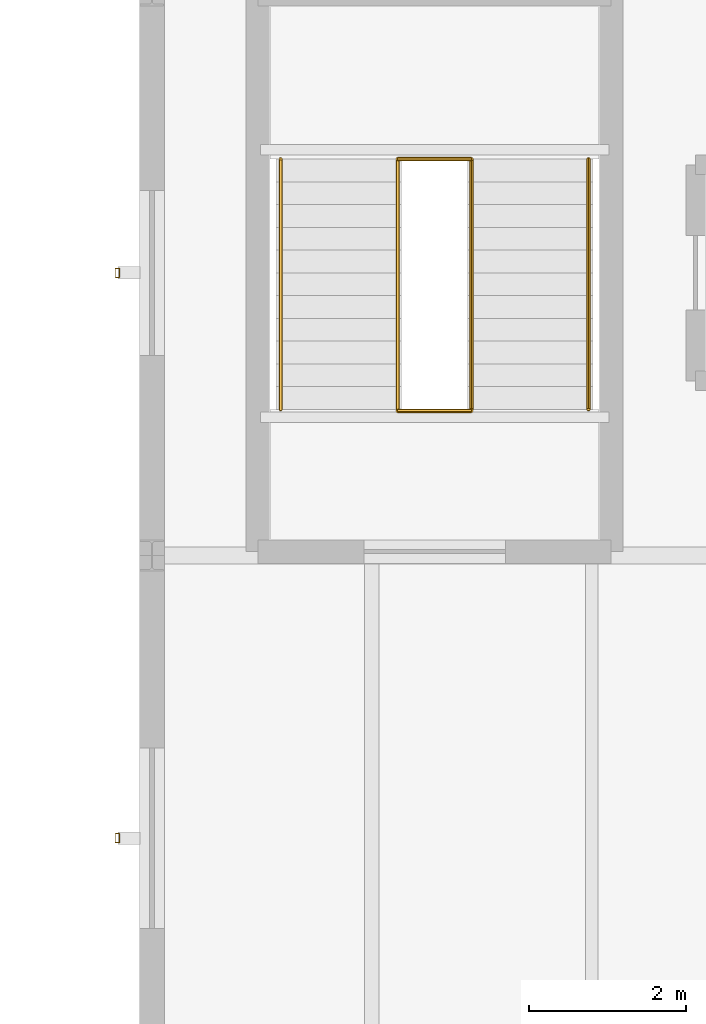
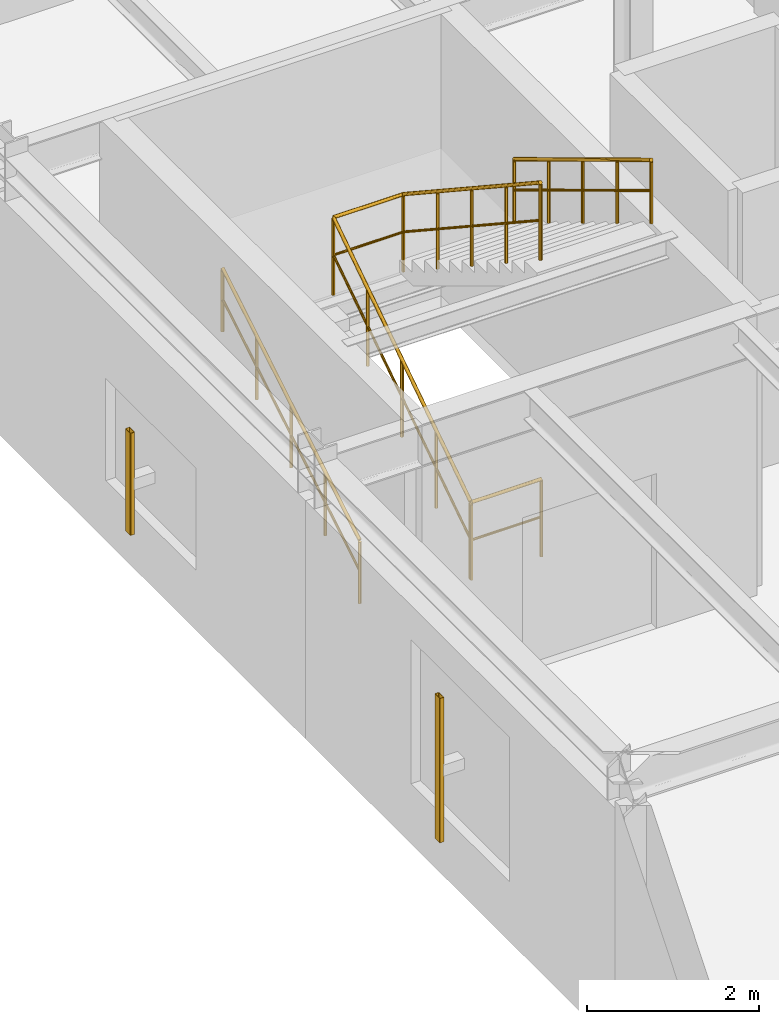
# One storey, part 98 of 109: 6 railings, 2 shading devices.
"""IFC4 building model written with IfcOpenShell, lengths in metres."""

from ifc_helpers import new_model, si_unit, derived_unit, direction, frame, origin, origin_2d, place, context, subcontext, project, spatial, hollow_rectangle, circle, extrude, material, material_profile, profile_set, type_object, element, save


model = new_model("IFC4")

# Units and contexts
model_context = context("Model", 3, precision=1e-05, world=origin(), true_north=direction((0.0, 1.0)))
body_context = subcontext(model_context, "Body", "Model", "MODEL_VIEW")
ifc_project = project(units=[si_unit("LENGTHUNIT", "METRE"), si_unit("AREAUNIT", "SQUARE_METRE"), si_unit("VOLUMEUNIT", "CUBIC_METRE"), si_unit("PLANEANGLEUNIT", "RADIAN"), si_unit("MASSUNIT", "GRAM", prefix="KILO"), derived_unit("THERMALTRANSMITTANCEUNIT", [(si_unit("MASSUNIT", "GRAM", prefix="KILO"), 1), (si_unit("TIMEUNIT", "SECOND"), -3), (si_unit("THERMODYNAMICTEMPERATUREUNIT", "KELVIN"), -1)])], contexts=[model_context])

# Site, building, storey
site_placement = place(None, origin())
site = spatial("IfcSite", under=ifc_project, at=site_placement, CompositionType="ELEMENT")
building_placement = place(site_placement, origin())
building = spatial("IfcBuilding", under=site, at=building_placement, Name="Kharveza Railside Sports Centre", CompositionType="ELEMENT")
storey_placement = place(building_placement, frame((0.0, 0.0, 4.5)))
storey = spatial("IfcBuildingStorey", under=building, at=storey_placement, Name="L01", CompositionType="ELEMENT", Elevation=4.5)

# Railings
ifc_material_1 = material(Name="Steel S275JR", Category="steel")
railing_type_1 = type_object("IfcRailingType", Name="RL-GD110", PredefinedType="GUARDRAIL", material=ifc_material_1)
railing_1_placement = place(storey_placement, frame((145.929931640625, 59.43994140625, 0.0)))
element("IfcRailing", 1, at=railing_1_placement, inside=storey, type_object=railing_type_1, Name="RL-STSLOT-ST2-L01", PredefinedType="GUARDRAIL", context=body_context, shape_type="SweptSolid", body=[
    extrude(circle(Radius=0.02392578125, at=origin_2d()), frame((0.0, 0.0, 1.09619140625), z_axis=(1.0, 0.0, 0.0), x_axis=(0.0, 1.0, 0.0)), (0.0, 0.0, 1.0), 0.940185546875),
    extrude(circle(Radius=0.01611328125, at=origin_2d()), frame((0.0, 0.0, 0.56005859375), z_axis=(1.0, 0.0, 0.0), x_axis=(0.0, 1.0, 0.0)), (0.0, 0.0, 1.0), 0.940185546875),
    extrude(circle(Radius=0.02099609375, at=origin_2d()), origin(), (0.0, 0.0, 1.0), 1.072021484375),
    extrude(circle(Radius=0.02099609375, at=origin_2d()), frame((0.940185546875, 0.0, 0.0)), (0.0, 0.0, 1.0), 1.072021484375),
])
railing_2_placement = place(storey_placement, frame((145.929931640625, 59.4599609375, 0.0)))
element("IfcRailing", 2, at=railing_2_placement, inside=storey, type_object=railing_type_1, Name="STR-ST2-L01-GD1", PredefinedType="GUARDRAIL", context=body_context, shape_type="SweptSolid", body=[
    extrude(circle(Radius=0.02392578125, at=origin_2d()), frame((0.0, 0.0, 1.09619140625), z_axis=(0.0, 0.835242474824, 0.549881812983), x_axis=(-1.0, 0.0, 0.0)), (0.0, 0.0, 1.0), 3.819091796875),
    extrude(circle(Radius=0.01611328125, at=origin_2d()), frame((0.0, 0.0, 0.56005859375), z_axis=(0.0, 0.835242474824, 0.549881812983), x_axis=(-1.0, 0.0, 0.0)), (0.0, 0.0, 1.0), 3.819091796875),
    extrude(circle(Radius=0.02099609375, at=origin_2d()), origin(), (0.0, 0.0, 1.0), 1.072021484375),
    extrude(circle(Radius=0.02099609375, at=origin_2d()), frame((0.0, 0.79736328125, 0.52490234375)), (0.0, 0.0, 1.0), 1.072021484375),
    extrude(circle(Radius=0.02099609375, at=origin_2d()), frame((0.0, 1.594970703125, 1.050048828125)), (0.0, 0.0, 1.0), 1.072021484375),
    extrude(circle(Radius=0.02099609375, at=origin_2d()), frame((0.0, 2.392578125, 1.5751953125)), (0.0, 0.0, 1.0), 1.072021484375),
    extrude(circle(Radius=0.02099609375, at=origin_2d()), frame((0.0, 3.18994140625, 2.10009765625)), (0.0, 0.0, 1.0), 1.072021484375),
])
railing_3_placement = place(storey_placement, frame((146.8701171875, 62.64990234375, 2.10009765625)))
element("IfcRailing", 3, at=railing_3_placement, inside=storey, type_object=railing_type_1, Name="STR-ST2-L01-GD2", PredefinedType="GUARDRAIL", context=body_context, shape_type="SweptSolid", body=[
    extrude(circle(Radius=0.02392578125, at=origin_2d()), frame((0.0, 0.0, 1.09619140625), z_axis=(0.0, -0.835271834381, 0.549837214719), x_axis=(1.0, 0.0, 0.0)), (0.0, 0.0, 1.0), 3.819091796875),
    extrude(circle(Radius=0.01611328125, at=origin_2d()), frame((0.0, 0.0, 0.56005859375), z_axis=(0.0, -0.835271834381, 0.549837214719), x_axis=(1.0, 0.0, 0.0)), (0.0, 0.0, 1.0), 3.819091796875),
    extrude(circle(Radius=0.02099609375, at=origin_2d()), origin(), (0.0, 0.0, 1.0), 1.072021484375),
    extrude(circle(Radius=0.02099609375, at=origin_2d()), frame((0.0, -0.79736328125, 0.52490234375)), (0.0, 0.0, 1.0), 1.072021484375),
    extrude(circle(Radius=0.02099609375, at=origin_2d()), frame((0.0, -1.594970703125, 1.0498046875)), (0.0, 0.0, 1.0), 1.072021484375),
    extrude(circle(Radius=0.02099609375, at=origin_2d()), frame((0.0, -2.392578125, 1.574951171875)), (0.0, 0.0, 1.0), 1.072021484375),
    extrude(circle(Radius=0.02099609375, at=origin_2d()), frame((0.0, -3.18994140625, 2.099853515625)), (0.0, 0.0, 1.0), 1.072021484375),
])
railing_4_placement = place(storey_placement, frame((145.929931640625, 62.64990234375, 2.10009765625)))
element("IfcRailing", 4, at=railing_4_placement, inside=storey, type_object=railing_type_1, Name="STR-ST2-L01-GDH", PredefinedType="GUARDRAIL", context=body_context, shape_type="SweptSolid", body=[
    extrude(circle(Radius=0.02392578125, at=origin_2d()), frame((0.0, 0.0, 1.09619140625), z_axis=(1.0, 0.0, 0.0), x_axis=(0.0, 1.0, 0.0)), (0.0, 0.0, 1.0), 0.940185546875),
    extrude(circle(Radius=0.01611328125, at=origin_2d()), frame((0.0, 0.0, 0.56005859375), z_axis=(1.0, 0.0, 0.0), x_axis=(0.0, 1.0, 0.0)), (0.0, 0.0, 1.0), 0.940185546875),
    extrude(circle(Radius=0.02099609375, at=origin_2d()), origin(), (0.0, 0.0, 1.0), 1.072021484375),
    extrude(circle(Radius=0.02099609375, at=origin_2d()), frame((0.940185546875, 0.0, 0.0)), (0.0, 0.0, 1.0), 1.072021484375),
])
railing_type_2 = type_object("IfcRailingType", Name="RL-HR092", PredefinedType="HANDRAIL", material=ifc_material_1)
railing_5_placement = place(storey_placement, frame((144.43994140625, 59.4599609375, 0.175048828125)))
element("IfcRailing", 5, at=railing_5_placement, inside=storey, type_object=railing_type_2, Name="STR-ST2-L01-HR1", PredefinedType="HANDRAIL", context=body_context, shape_type="SweptSolid", body=[
    extrude(circle(Radius=0.02392578125, at=origin_2d()), frame((0.0, 0.0, 0.89599609375), z_axis=(0.0, 0.856177665481, 0.516681531633), x_axis=(-1.0, 0.0, 0.0)), (0.0, 0.0, 1.0), 3.725830078125),
    extrude(circle(Radius=0.01611328125, at=origin_2d()), frame((0.0, 0.0, 0.4599609375), z_axis=(0.0, 0.856177665481, 0.516681531633), x_axis=(-1.0, 0.0, 0.0)), (0.0, 0.0, 1.0), 3.725830078125),
    extrude(circle(Radius=0.02099609375, at=origin_2d()), origin(), (0.0, 0.0, 1.0), 0.871826171875),
    extrude(circle(Radius=0.02099609375, at=origin_2d()), frame((0.0, 0.79736328125, 0.481201171875)), (0.0, 0.0, 1.0), 0.871826171875),
    extrude(circle(Radius=0.02099609375, at=origin_2d()), frame((0.0, 1.594970703125, 0.96240234375)), (0.0, 0.0, 1.0), 0.871826171875),
    extrude(circle(Radius=0.02099609375, at=origin_2d()), frame((0.0, 2.392578125, 1.44384765625)), (0.0, 0.0, 1.0), 0.871826171875),
    extrude(circle(Radius=0.02099609375, at=origin_2d()), frame((0.0, 3.18994140625, 1.925048828125)), (0.0, 0.0, 1.0), 0.871826171875),
])
railing_6_placement = place(storey_placement, frame((148.360107421875, 62.64990234375, 2.27490234375)))
element("IfcRailing", 6, at=railing_6_placement, inside=storey, type_object=railing_type_2, Name="STR-ST2-L01-HR2", PredefinedType="HANDRAIL", context=body_context, shape_type="SweptSolid", body=[
    extrude(circle(Radius=0.02392578125, at=origin_2d()), frame((0.0, 0.0, 0.89599609375), z_axis=(0.0, -0.856177665481, 0.516681531633), x_axis=(1.0, 0.0, 0.0)), (0.0, 0.0, 1.0), 3.725830078125),
    extrude(circle(Radius=0.01611328125, at=origin_2d()), frame((0.0, 0.0, 0.4599609375), z_axis=(0.0, -0.856177665481, 0.516681531633), x_axis=(1.0, 0.0, 0.0)), (0.0, 0.0, 1.0), 3.725830078125),
    extrude(circle(Radius=0.02099609375, at=origin_2d()), origin(), (0.0, 0.0, 1.0), 0.871826171875),
    extrude(circle(Radius=0.02099609375, at=origin_2d()), frame((0.0, -0.79736328125, 0.481201171875)), (0.0, 0.0, 1.0), 0.871826171875),
    extrude(circle(Radius=0.02099609375, at=origin_2d()), frame((0.0, -1.594970703125, 0.96240234375)), (0.0, 0.0, 1.0), 0.871826171875),
    extrude(circle(Radius=0.02099609375, at=origin_2d()), frame((0.0, -2.392578125, 1.44384765625)), (0.0, 0.0, 1.0), 0.871826171875),
    extrude(circle(Radius=0.02099609375, at=origin_2d()), frame((0.0, -3.18994140625, 1.925048828125)), (0.0, 0.0, 1.0), 0.871826171875),
])

# Shading devices
ifc_material_2 = material(Name="Anodised aluminium 6063-T6", Category="aluminium")
ifc_material_profile = material_profile(ifc_material_2, hollow_rectangle(XDim=0.06005859375, YDim=0.1201171875, WallThickness=0.0048828125, InnerFilletRadius=0.0048828125, OuterFilletRadius=0.010009765625, at=origin_2d()), Name="RHS 60x120x5.0")
ifc_profile_set = profile_set([ifc_material_profile], Name="Anodised aluminium 6063-T6")
shading_device_type = type_object("IfcShadingDeviceType", Name="SD-LV01", PredefinedType="JALOUSIE", material=ifc_profile_set)
shading_device_1_placement = place(storey_placement, frame((142.360107421875, 61.199951171875, 0.85009765625), z_axis=(0.0, 0.0, 1.0), x_axis=(-1.0, 0.0, 0.0)))
element("IfcShadingDevice", 7, at=shading_device_1_placement, inside=storey, type_object=shading_device_type, Name="SD-FIN-062", PredefinedType="JALOUSIE", context=body_context, shape_type="SweptSolid", body=[
    extrude(hollow_rectangle(XDim=0.06005859375, YDim=0.1201171875, WallThickness=0.0048828125, InnerFilletRadius=0.0048828125, OuterFilletRadius=0.010009765625, at=origin_2d()), origin(), (0.0, 0.0, 1.0), 1.449951171875),
])
shading_device_2_placement = place(storey_placement, frame((142.360107421875, 54.0, 0.85009765625), z_axis=(0.0, 0.0, 1.0), x_axis=(-1.0, 0.0, 0.0)))
element("IfcShadingDevice", 8, at=shading_device_2_placement, inside=storey, type_object=shading_device_type, Name="SD-FIN-063", PredefinedType="JALOUSIE", context=body_context, shape_type="SweptSolid", body=[
    extrude(hollow_rectangle(XDim=0.06005859375, YDim=0.1201171875, WallThickness=0.0048828125, InnerFilletRadius=0.0048828125, OuterFilletRadius=0.010009765625, at=origin_2d()), origin(), (0.0, 0.0, 1.0), 2.0498046875),
])

save(model, "model.ifc")
